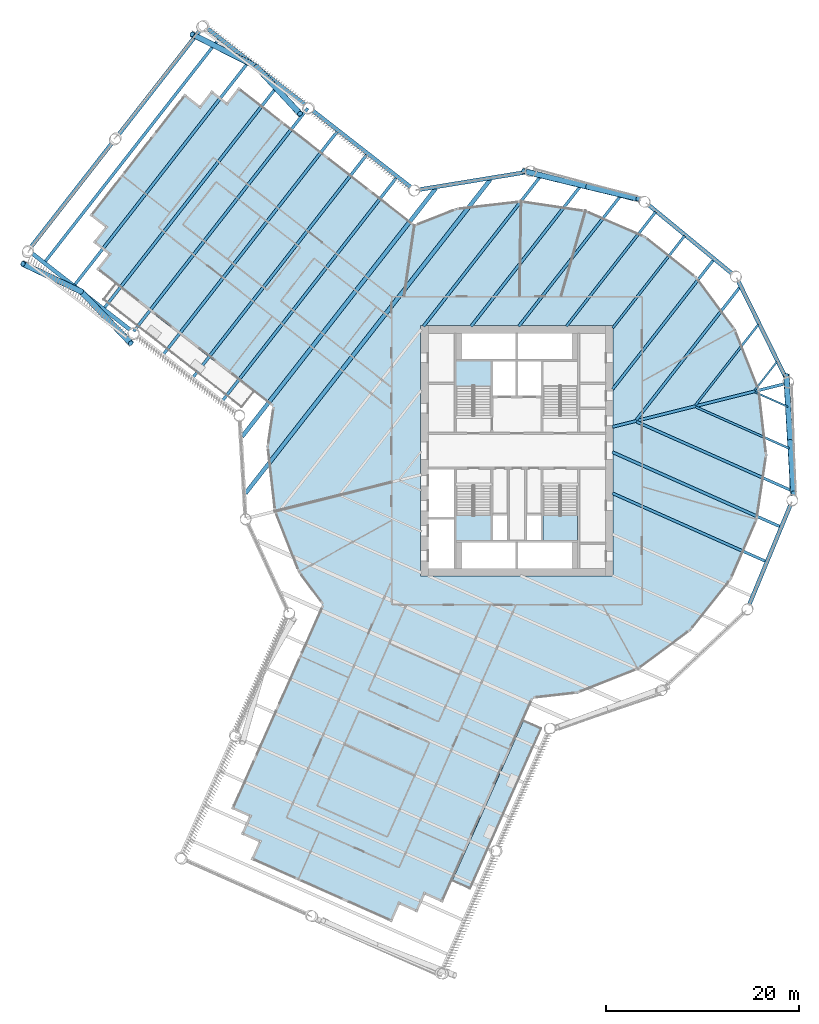
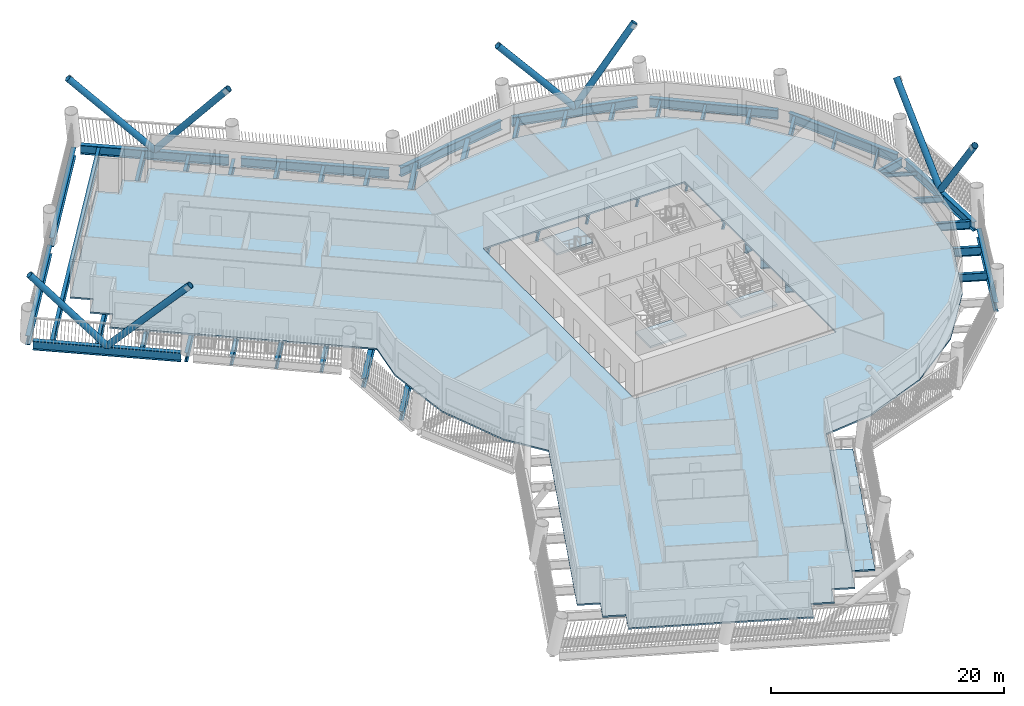
# One storey, part 2 of 22: 35 beams, 8 members, 5 slabs, 3 elements without a shape of their own.
"""IFC4 building model written with IfcOpenShell, lengths in metres."""

from ifc_helpers import new_model, si_unit, direction, frame, origin, origin_2d, place, context, subcontext, project, spatial, polyline, hollow_circle, i_section, outline, extrude, material, layer, layer_set, material_profile, profile_set, type_object, element, aggregate, save


model = new_model("IFC4")

# Units and contexts
model_context = context("Model", 3, precision=1e-05, world=origin(), true_north=direction((0.0, 1.0)))
body_context = subcontext(model_context, "Body", "Model", "MODEL_VIEW")
ifc_project = project(units=[si_unit("LENGTHUNIT", "METRE"), si_unit("AREAUNIT", "SQUARE_METRE"), si_unit("VOLUMEUNIT", "CUBIC_METRE"), si_unit("PLANEANGLEUNIT", "RADIAN"), si_unit("MASSUNIT", "GRAM", prefix="KILO")], contexts=[model_context])

# Site, building, storey
site_placement = place(None, origin())
site = spatial("IfcSite", under=ifc_project, at=site_placement, CompositionType="ELEMENT")
building_placement = place(site_placement, origin())
building = spatial("IfcBuilding", under=site, at=building_placement, Name="Tarsis Ring Headquarters", CompositionType="ELEMENT")
storey_placement = place(building_placement, frame((0.0, 0.0, 116.199951171875)))
storey = spatial("IfcBuildingStorey", under=building, at=storey_placement, Name="L26", CompositionType="ELEMENT", Elevation=116.199951171875)

# Beams
ifc_material_1 = material(Name="Structural steel S355", Category="steel")
ifc_material_profile_1 = material_profile(ifc_material_1, i_section(OverallWidth=0.177734375, OverallDepth=0.406494140625, WebThickness=0.0078125, FlangeThickness=0.0126953125, at=origin_2d()), Name="W16x40")
ifc_profile_set_1 = profile_set([ifc_material_profile_1], Name="Structural steel S355")
beam_type_1 = type_object("IfcBeamType", Name="FB Floor beam W16x40", PredefinedType="JOIST", material=ifc_profile_set_1)
beam_1_placement = place(storey_placement, frame((24.72021484375, 6.08544921875, -0.363037109375), z_axis=(0.913833071734, -0.40609003559, 0.0), x_axis=(0.40609003559, 0.913833071734, 0.0)))
element("IfcBeam", 1, at=beam_1_placement, inside=storey, type_object=beam_type_1, Name="Floor beam FB1", PredefinedType="JOIST", context=body_context, shape_type="SweptSolid", body=[
    extrude(i_section(OverallWidth=0.177734375, OverallDepth=0.406494140625, WebThickness=0.0078125, FlangeThickness=0.0126953125, at=origin_2d()), origin(), (0.0, 0.0, 1.0), 3.741943359375),
])
beam_2_placement = place(storey_placement, frame((26.9765625, 9.216796875, -0.363037109375), z_axis=(-0.615091836002, -0.788455473241, 0.0), x_axis=(0.788455473241, -0.615091836002, 0.0)))
element("IfcBeam", 2, at=beam_2_placement, inside=storey, type_object=beam_type_1, Name="Floor beam FB1", PredefinedType="JOIST", context=body_context, shape_type="SweptSolid", body=[
    extrude(i_section(OverallWidth=0.177734375, OverallDepth=0.406494140625, WebThickness=0.0078125, FlangeThickness=0.0126953125, at=origin_2d()), origin(), (0.0, 0.0, 1.0), 3.74169921875),
])
ifc_material_profile_2 = material_profile(ifc_material_1, i_section(OverallWidth=0.228271484375, OverallDepth=0.607177734375, WebThickness=0.01123046875, FlangeThickness=0.017333984375, at=origin_2d()), Name="W24x76")
ifc_profile_set_2 = profile_set([ifc_material_profile_2], Name="Structural steel S355")
beam_type_2 = type_object("IfcBeamType", Name="FB Floor beam W24x76", PredefinedType="JOIST", material=ifc_profile_set_2)
beam_3_placement = place(storey_placement, frame((18.574951171875, 4.548828125, -0.463623046875), z_axis=(0.913827662137, -0.406102208703, 0.0), x_axis=(0.406102208703, 0.913827662137, 0.0)))
element("IfcBeam", 3, at=beam_3_placement, inside=storey, type_object=beam_type_2, Name="Floor beam FB4", PredefinedType="JOIST", context=body_context, shape_type="SweptSolid", body=[
    extrude(i_section(OverallWidth=0.228271484375, OverallDepth=0.607177734375, WebThickness=0.01123046875, FlangeThickness=0.017333984375, at=origin_2d()), origin(), (0.0, 0.0, 1.0), 10.62109375),
])
beam_4_placement = place(storey_placement, frame((25.062744140625, 13.104248046875, -0.463623046875), z_axis=(-0.615106396241, -0.788444114255, 0.0), x_axis=(0.788444114255, -0.615106396241, 0.0)))
element("IfcBeam", 4, at=beam_4_placement, inside=storey, type_object=beam_type_2, Name="Floor beam FB4", PredefinedType="JOIST", context=body_context, shape_type="SweptSolid", body=[
    extrude(i_section(OverallWidth=0.228271484375, OverallDepth=0.607177734375, WebThickness=0.01123046875, FlangeThickness=0.017333984375, at=origin_2d()), origin(), (0.0, 0.0, 1.0), 10.621337890625),
])
ifc_material_profile_3 = material_profile(ifc_material_1, i_section(OverallWidth=0.2529296875, OverallDepth=0.67822265625, WebThickness=0.01171875, FlangeThickness=0.016357421875, at=origin_2d()), Name="W27x84")
ifc_profile_set_3 = profile_set([ifc_material_profile_3], Name="Structural steel S355")
beam_type_3 = type_object("IfcBeamType", Name="FB Floor beam W27x84", PredefinedType="JOIST", material=ifc_profile_set_3)
beam_5_placement = place(storey_placement, frame((17.4033203125, 22.307373046875, -0.4990234375), z_axis=(-0.615109843816, -0.788441424609, 0.0), x_axis=(0.788441424609, -0.615109843816, 0.0)))
element("IfcBeam", 5, at=beam_5_placement, inside=storey, type_object=beam_type_3, Name="Floor beam FB5", PredefinedType="JOIST", context=body_context, shape_type="SweptSolid", body=[
    extrude(i_section(OverallWidth=0.2529296875, OverallDepth=0.67822265625, WebThickness=0.01171875, FlangeThickness=0.016357421875, at=origin_2d()), origin(), (0.0, 0.0, 1.0), 12.1357421875),
])
ifc_material_profile_4 = material_profile(ifc_material_1, i_section(OverallWidth=0.2666015625, OverallDepth=0.7568359375, WebThickness=0.013916015625, FlangeThickness=0.019287109375, at=origin_2d()), Name="W30x108")
ifc_profile_set_4 = profile_set([ifc_material_profile_4], Name="Structural steel S355")
beam_type_4 = type_object("IfcBeamType", Name="FB Floor beam W30x108", PredefinedType="JOIST", material=ifc_profile_set_4)
beam_6_placement = place(storey_placement, frame((14.390625, 24.7861328125, -0.538330078125), z_axis=(-0.615110269948, -0.788441092159, 0.0), x_axis=(0.788441092159, -0.615110269948, 0.0)))
element("IfcBeam", 6, at=beam_6_placement, inside=storey, type_object=beam_type_4, Name="Floor beam FB6", PredefinedType="JOIST", context=body_context, shape_type="SweptSolid", body=[
    extrude(i_section(OverallWidth=0.2666015625, OverallDepth=0.7568359375, WebThickness=0.013916015625, FlangeThickness=0.019287109375, at=origin_2d()), origin(), (0.0, 0.0, 1.0), 15.048583984375),
])
ifc_material_profile_5 = material_profile(ifc_material_1, i_section(OverallWidth=0.2919921875, OverallDepth=0.835693359375, WebThickness=0.013916015625, FlangeThickness=0.018798828125, at=origin_2d()), Name="W33x118")
ifc_profile_set_5 = profile_set([ifc_material_profile_5], Name="Structural steel S355")
beam_type_5 = type_object("IfcBeamType", Name="FB Floor beam W33x118", PredefinedType="JOIST", material=ifc_profile_set_5)
beam_7_placement = place(storey_placement, frame((12.429443359375, 3.011962890625, -0.577880859375), z_axis=(0.913831106803, -0.406094457287, 0.0), x_axis=(0.406094457287, 0.913831106803, 0.0)))
element("IfcBeam", 7, at=beam_7_placement, inside=storey, type_object=beam_type_5, Name="Floor beam FB7", PredefinedType="JOIST", context=body_context, shape_type="SweptSolid", body=[
    extrude(i_section(OverallWidth=0.2919921875, OverallDepth=0.835693359375, WebThickness=0.013916015625, FlangeThickness=0.018798828125, at=origin_2d()), origin(), (0.0, 0.0, 1.0), 17.500732421875),
])
beam_8_placement = place(storey_placement, frame((9.90869140625, -4.4033203125, -0.577880859375), z_axis=(0.913828856106, -0.406099521975, 0.0), x_axis=(0.406099521975, 0.913828856106, 0.0)))
element("IfcBeam", 8, at=beam_8_placement, inside=storey, type_object=beam_type_5, Name="Floor beam FB7", PredefinedType="JOIST", context=body_context, shape_type="SweptSolid", body=[
    extrude(i_section(OverallWidth=0.2919921875, OverallDepth=0.835693359375, WebThickness=0.013916015625, FlangeThickness=0.018798828125, at=origin_2d()), origin(), (0.0, 0.0, 1.0), 17.449951171875),
])
beam_9_placement = place(storey_placement, frame((23.14892578125, 16.991455078125, -0.577880859375), z_axis=(-0.615109509255, -0.788441685621, 0.0), x_axis=(0.788441685621, -0.615109509255, 0.0)))
element("IfcBeam", 9, at=beam_9_placement, inside=storey, type_object=beam_type_5, Name="Floor beam FB7", PredefinedType="JOIST", context=body_context, shape_type="SweptSolid", body=[
    extrude(i_section(OverallWidth=0.2919921875, OverallDepth=0.835693359375, WebThickness=0.013916015625, FlangeThickness=0.018798828125, at=origin_2d()), origin(), (0.0, 0.0, 1.0), 17.500732421875),
])
beam_10_placement = place(storey_placement, frame((20.416015625, 19.82861328125, -0.577880859375), z_axis=(-0.615111818946, -0.78843988369, 0.0), x_axis=(0.78843988369, -0.615111818946, 0.0)))
element("IfcBeam", 10, at=beam_10_placement, inside=storey, type_object=beam_type_5, Name="Floor beam FB7", PredefinedType="JOIST", context=body_context, shape_type="SweptSolid", body=[
    extrude(i_section(OverallWidth=0.2919921875, OverallDepth=0.835693359375, WebThickness=0.013916015625, FlangeThickness=0.018798828125, at=origin_2d()), origin(), (0.0, 0.0, 1.0), 17.033447265625),
])
beam_11_placement = place(storey_placement, frame((10.702392578125, 26.39892578125, -0.577880859375), z_axis=(-0.615103721919, -0.788446200626, 0.0), x_axis=(0.788446200626, -0.615103721919, 0.0)))
element("IfcBeam", 11, at=beam_11_placement, inside=storey, type_object=beam_type_5, Name="Floor beam FB7", PredefinedType="JOIST", context=body_context, shape_type="SweptSolid", body=[
    extrude(i_section(OverallWidth=0.2919921875, OverallDepth=0.835693359375, WebThickness=0.013916015625, FlangeThickness=0.018798828125, at=origin_2d()), origin(), (0.0, 0.0, 1.0), 17.093994140625),
])
ifc_material_profile_6 = material_profile(ifc_material_1, i_section(OverallWidth=0.3046875, OverallDepth=0.904296875, WebThickness=0.01513671875, FlangeThickness=0.02001953125, at=origin_2d()), Name="W36x135")
ifc_profile_set_6 = profile_set([ifc_material_profile_6], Name="Structural steel S355")
beam_type_6 = type_object("IfcBeamType", Name="FB Floor beam W36x135", PredefinedType="JOIST", material=ifc_profile_set_6)
beam_12_placement = place(storey_placement, frame((9.90869140625, -0.135498046875, -0.612060546875), z_axis=(0.913825793347, -0.406106413903, 0.0), x_axis=(0.406106413903, 0.913825793347, 0.0)))
element("IfcBeam", 12, at=beam_12_placement, inside=storey, type_object=beam_type_6, Name="Floor beam FB8", PredefinedType="JOIST", context=body_context, shape_type="SweptSolid", body=[
    extrude(i_section(OverallWidth=0.3046875, OverallDepth=0.904296875, WebThickness=0.01513671875, FlangeThickness=0.02001953125, at=origin_2d()), origin(), (0.0, 0.0, 1.0), 19.081787109375),
])
beam_13_placement = place(storey_placement, frame((6.6162109375, 27.501708984375, -0.612060546875), z_axis=(-0.615104355818, -0.788445706091, 0.0), x_axis=(0.788445706091, -0.615104355818, 0.0)))
element("IfcBeam", 13, at=beam_13_placement, inside=storey, type_object=beam_type_6, Name="Floor beam FB8", PredefinedType="JOIST", context=body_context, shape_type="SweptSolid", body=[
    extrude(i_section(OverallWidth=0.3046875, OverallDepth=0.904296875, WebThickness=0.01513671875, FlangeThickness=0.02001953125, at=origin_2d()), origin(), (0.0, 0.0, 1.0), 18.49267578125),
])
beam_14_placement = place(storey_placement, frame((2.5302734375, 28.6044921875, -0.612060546875), z_axis=(-0.615112530333, -0.788439328692, 0.0), x_axis=(0.788439328692, -0.615112530333, 0.0)))
element("IfcBeam", 14, at=beam_14_placement, inside=storey, type_object=beam_type_6, Name="Floor beam FB8", PredefinedType="JOIST", context=body_context, shape_type="SweptSolid", body=[
    extrude(i_section(OverallWidth=0.3046875, OverallDepth=0.904296875, WebThickness=0.01513671875, FlangeThickness=0.02001953125, at=origin_2d()), origin(), (0.0, 0.0, 1.0), 19.8916015625),
])
ifc_material_profile_7 = material_profile(ifc_material_1, i_section(OverallWidth=0.309814453125, OverallDepth=0.949951171875, WebThickness=0.0244140625, FlangeThickness=0.0439453125, at=origin_2d()), Name="W36x256")
ifc_profile_set_7 = profile_set([ifc_material_profile_7], Name="Structural steel S355")
beam_type_7 = type_object("IfcBeamType", Name="FB Floor beam W36x256", PredefinedType="JOIST", material=ifc_profile_set_7)
for number, where, z_axis, x_axis, name in (
    (15, (-12.48974609375, 28.373046875, -0.635009765625), (-0.61510909717, -0.788442007112, 0.0), (0.788442007112, -0.61510909717, 0.0), "Floor beam FB11"),
    (16, (-15.564697265625, 30.77197265625, -0.635009765625), (-0.61510909717, -0.788442007112, 0.0), (0.788442007112, -0.61510909717, 0.0), "Floor beam FB11"),
    (17, (-18.6396484375, 33.1708984375, -0.635009765625), (-0.61510909717, -0.788442007112, 0.0), (0.788442007112, -0.61510909717, 0.0), "Floor beam FB11"),
    (18, (-21.714599609375, 35.56982421875, -0.635009765625), (-0.61510909717, -0.788442007112, 0.0), (0.788442007112, -0.61510909717, 0.0), "Floor beam FB11"),
):
    element("IfcBeam", number, at=place(storey_placement, frame(where, z_axis=z_axis, x_axis=x_axis)), inside=storey, type_object=beam_type_7, Name=name, PredefinedType="JOIST", context=body_context, shape_type="SweptSolid", body=[
        extrude(i_section(OverallWidth=0.309814453125, OverallDepth=0.949951171875, WebThickness=0.0244140625, FlangeThickness=0.0439453125, at=origin_2d()), origin(), (0.0, 0.0, 1.0), 29.375732421875),
    ])
beam_15_placement = place(storey_placement, frame((-24.789306640625, 37.96875, -0.635009765625), z_axis=(-0.615114263548, -0.788437976495, 0.0), x_axis=(0.788437976495, -0.615114263548, 0.0)))
element("IfcBeam", 19, at=beam_15_placement, inside=storey, type_object=beam_type_7, Name="Floor beam FB11", PredefinedType="JOIST", context=body_context, shape_type="SweptSolid", body=[
    extrude(i_section(OverallWidth=0.309814453125, OverallDepth=0.949951171875, WebThickness=0.0244140625, FlangeThickness=0.0439453125, at=origin_2d()), origin(), (0.0, 0.0, 1.0), 29.3759765625),
])
for number, where, z_axis, x_axis, name in (
    (20, (-27.8642578125, 40.36767578125, -0.635009765625), (-0.615113127809, -0.788438862561, 0.0), (0.788438862561, -0.615113127809, 0.0), "Floor beam FB11"),
    (21, (-30.939208984375, 42.7666015625, -0.635009765625), (-0.615113127809, -0.788438862561, 0.0), (0.788438862561, -0.615113127809, 0.0), "Floor beam FB11"),
):
    element("IfcBeam", number, at=place(storey_placement, frame(where, z_axis=z_axis, x_axis=x_axis)), inside=storey, type_object=beam_type_7, Name=name, PredefinedType="JOIST", context=body_context, shape_type="SweptSolid", body=[
        extrude(i_section(OverallWidth=0.309814453125, OverallDepth=0.949951171875, WebThickness=0.0244140625, FlangeThickness=0.0439453125, at=origin_2d()), origin(), (0.0, 0.0, 1.0), 29.375732421875),
    ])
beam_type_8 = type_object("IfcBeamType", Name="FB Floor beam W36x256 spine", PredefinedType="BEAM", material=ifc_profile_set_7)
beam_16_placement = place(storey_placement, frame((28.067138671875, 7.018798828125, -0.635009765625), z_axis=(-0.970124088924, -0.242609258045, 0.0), x_axis=(0.242609258045, -0.970124088924, 0.0)))
element("IfcBeam", 22, at=beam_16_placement, inside=storey, type_object=beam_type_8, Name="Floor beam SB11", PredefinedType="BEAM", context=body_context, shape_type="SweptSolid", body=[
    extrude(i_section(OverallWidth=0.309814453125, OverallDepth=0.949951171875, WebThickness=0.0244140625, FlangeThickness=0.0439453125, at=origin_2d()), origin(), (0.0, 0.0, 1.0), 18.723388671875),
])
ifc_material_profile_8 = material_profile(ifc_material_1, i_section(OverallWidth=0.42431640625, OverallDepth=0.947509765625, WebThickness=0.02392578125, FlangeThickness=0.042724609375, at=origin_2d()), Name="W36x302")
ifc_profile_set_8 = profile_set([ifc_material_profile_8], Name="Structural steel S355")
beam_type_9 = type_object("IfcBeamType", Name="FB Floor beam W36x302", PredefinedType="JOIST", material=ifc_profile_set_8)
beam_17_placement = place(storey_placement, frame((-2.751220703125, 28.17529296875, -0.633544921875), z_axis=(-0.615110933815, -0.788440574236, 0.0), x_axis=(0.788440574236, -0.615110933815, 0.0)))
element("IfcBeam", 23, at=beam_17_placement, inside=storey, type_object=beam_type_9, Name="Floor beam FB12", PredefinedType="JOIST", context=body_context, shape_type="SweptSolid", body=[
    extrude(i_section(OverallWidth=0.42431640625, OverallDepth=0.947509765625, WebThickness=0.02392578125, FlangeThickness=0.042724609375, at=origin_2d()), origin(), (0.0, 0.0, 1.0), 41.35302734375),
])
beam_18_placement = place(storey_placement, frame((-8.41650390625, 27.253662109375, -0.633544921875), z_axis=(-0.615115152143, -0.788437283241, 0.0), x_axis=(0.788437283241, -0.615115152143, 0.0)))
element("IfcBeam", 24, at=beam_18_placement, inside=storey, type_object=beam_type_9, Name="Floor beam FB12", PredefinedType="JOIST", context=body_context, shape_type="SweptSolid", body=[
    extrude(i_section(OverallWidth=0.42431640625, OverallDepth=0.947509765625, WebThickness=0.02392578125, FlangeThickness=0.042724609375, at=origin_2d()), origin(), (0.0, 0.0, 1.0), 32.704833984375),
])

# Members
ifc_material_profile_9 = material_profile(ifc_material_1, hollow_circle(Radius=0.3046875, WallThickness=0.02490234375, at=origin_2d()), Name="CHS 610x25")
ifc_profile_set_9 = profile_set([ifc_material_profile_9], Name="Structural steel S355")
member_type = type_object("IfcMemberType", Name="XD X brace CHS 610x25", PredefinedType="BRACE", material=ifc_profile_set_9)
member_1_placement = place(storey_placement, frame((28.38037109375, 0.926025390625, 0.0), z_axis=(-0.038594356467, 0.661309374122, 0.749119741662), x_axis=(-0.998301362947, -0.058261382904, 0.0)))
element("IfcMember", 25, at=member_1_placement, inside=storey, type_object=member_type, Name="X brace XD1", PredefinedType="BRACE", context=body_context, shape_type="SweptSolid", body=[
    extrude(hollow_circle(Radius=0.3046875, WallThickness=0.02490234375, at=origin_2d()), origin(), (0.0, 0.0, 1.0), 10.412353515625),
])
member_2_placement = place(storey_placement, frame((28.38037109375, 0.926025390625, 0.0), z_axis=(0.034945935174, -0.564658175586, 0.824584699324), x_axis=(0.998090381102, 0.061770471524, 0.0)))
element("IfcMember", 26, at=member_2_placement, inside=storey, type_object=member_type, Name="X brace XD1", PredefinedType="BRACE", context=body_context, shape_type="SweptSolid", body=[
    extrude(hollow_circle(Radius=0.3046875, WallThickness=0.02490234375, at=origin_2d()), origin(), (0.0, 0.0, 1.0), 9.45947265625),
])
member_3_placement = place(storey_placement, frame((7.39892578125, 27.41455078125, 0.0), z_axis=(-0.643770874506, 0.156136008644, 0.749119888898), x_axis=(-0.23570031745, -0.971825787039, 0.0)))
element("IfcMember", 27, at=member_3_placement, inside=storey, type_object=member_type, Name="X brace XD1", PredefinedType="BRACE", context=body_context, shape_type="SweptSolid", body=[
    extrude(hollow_circle(Radius=0.3046875, WallThickness=0.02490234375, at=origin_2d()), origin(), (0.0, 0.0, 1.0), 10.412353515625),
])
member_4_placement = place(storey_placement, frame((7.39892578125, 27.41455078125, 0.0), z_axis=(0.550260104545, -0.131396538098, 0.824590060043), x_axis=(0.232259865806, 0.972653769198, 0.0)))
element("IfcMember", 28, at=member_4_placement, inside=storey, type_object=member_type, Name="X brace XD1", PredefinedType="BRACE", context=body_context, shape_type="SweptSolid", body=[
    extrude(hollow_circle(Radius=0.3046875, WallThickness=0.02490234375, at=origin_2d()), origin(), (0.0, 0.0, 1.0), 9.459228515625),
])
member_5_placement = place(storey_placement, frame((-27.04541015625, 39.87109375, 0.0), z_axis=(-0.617425430525, 0.312283215885, 0.721986863328), x_axis=(-0.451337134456, -0.892353512382, 0.0)))
element("IfcMember", 29, at=member_5_placement, inside=storey, type_object=member_type, Name="X brace XD1", PredefinedType="BRACE", context=body_context, shape_type="SweptSolid", body=[
    extrude(hollow_circle(Radius=0.3046875, WallThickness=0.02490234375, at=origin_2d()), origin(), (0.0, 0.0, 1.0), 10.803466796875),
])
member_6_placement = place(storey_placement, frame((-27.04541015625, 39.87109375, 0.0), z_axis=(0.440972751018, -0.475751284752, 0.76105436594), x_axis=(0.733405290132, 0.679791644849, 0.0)))
element("IfcMember", 30, at=member_6_placement, inside=storey, type_object=member_type, Name="X brace XD1", PredefinedType="BRACE", context=body_context, shape_type="SweptSolid", body=[
    extrude(hollow_circle(Radius=0.3046875, WallThickness=0.02490234375, at=origin_2d()), origin(), (0.0, 0.0, 1.0), 10.2490234375),
])
member_7_placement = place(storey_placement, frame((-45.252685546875, 16.533203125, 0.0), z_axis=(0.478738651251, -0.49741992016, 0.723451951982), x_axis=(0.720507132942, 0.693447526046, 0.0)))
element("IfcMember", 31, at=member_7_placement, inside=storey, type_object=member_type, Name="X brace XD1", PredefinedType="BRACE", context=body_context, shape_type="SweptSolid", body=[
    extrude(hollow_circle(Radius=0.3046875, WallThickness=0.02490234375, at=origin_2d()), origin(), (0.0, 0.0, 1.0), 10.78173828125),
])
member_8_placement = place(storey_placement, frame((-45.252685546875, 16.533203125, 0.0), z_axis=(-0.586863687881, 0.281049048647, 0.759343429617), x_axis=(-0.431924606436, -0.90190971519, 0.0)))
element("IfcMember", 32, at=member_8_placement, inside=storey, type_object=member_type, Name="X brace XD1", PredefinedType="BRACE", context=body_context, shape_type="SweptSolid", body=[
    extrude(hollow_circle(Radius=0.3046875, WallThickness=0.02490234375, at=origin_2d()), origin(), (0.0, 0.0, 1.0), 10.272216796875),
])

# Beams
beam_type_10 = type_object("IfcBeamType", Name="XG Ring girder W36x302", PredefinedType="BEAM", material=ifc_profile_set_8)
beam_19_placement = place(storey_placement, frame((24.098876953125, -16.02783203125, -0.4736328125), z_axis=(0.382267054504, 0.924051891963, 0.0), x_axis=(-0.924051891963, 0.382267054504, 0.0)))
element("IfcBeam", 33, at=beam_19_placement, inside=storey, type_object=beam_type_10, Name="Ring girder XG1", PredefinedType="BEAM", context=body_context, shape_type="SweptSolid", body=[
    extrude(i_section(OverallWidth=0.42431640625, OverallDepth=0.947509765625, WebThickness=0.02392578125, FlangeThickness=0.042724609375, at=origin_2d()), origin(), (0.0, 0.0, 1.0), 11.197021484375),
])
for number, where, z_axis, x_axis, name in (
    (34, (28.56298828125, -4.669677734375, -0.4736328125), (-0.03259610745, 0.9994686057, 0.0), (-0.9994686057, -0.03259610745, 0.0), "Ring girder XG1"),
    (35, (27.948486328125, 7.518798828125, -0.4736328125), (-0.441675655082, 0.89717479663, 0.0), (-0.89717479663, -0.441675655082, 0.0), "Ring girder XG1"),
):
    element("IfcBeam", number, at=place(storey_placement, frame(where, z_axis=z_axis, x_axis=x_axis)), inside=storey, type_object=beam_type_10, Name=name, PredefinedType="BEAM", context=body_context, shape_type="SweptSolid", body=[
        extrude(i_section(OverallWidth=0.42431640625, OverallDepth=0.947509765625, WebThickness=0.02392578125, FlangeThickness=0.042724609375, at=origin_2d()), origin(), (0.0, 0.0, 1.0), 11.197265625),
    ])
beam_20_placement = place(storey_placement, frame((22.36474609375, 18.37060546875, -0.4736328125), z_axis=(-0.772227214884, 0.635346463429, 0.0), x_axis=(-0.635346463429, -0.772227214884, 0.0)))
element("IfcBeam", 36, at=beam_20_placement, inside=storey, type_object=beam_type_10, Name="Ring girder XG1", PredefinedType="BEAM", context=body_context, shape_type="SweptSolid", body=[
    extrude(i_section(OverallWidth=0.42431640625, OverallDepth=0.947509765625, WebThickness=0.02392578125, FlangeThickness=0.042724609375, at=origin_2d()), origin(), (0.0, 0.0, 1.0), 11.197509765625),
])
for number, where, z_axis, x_axis, name in (
    (37, (12.80419921875, 25.955810546875, -0.4736328125), (-0.965454317865, 0.260572370208, 0.0), (-0.260572370208, -0.965454317865, 0.0), "Ring girder XG1"),
    (38, (0.967041015625, 28.926025390625, -0.4736328125), (-0.987029294051, -0.160540252537, 0.0), (0.160540252537, -0.987029294051, 0.0), "Ring girder XG1"),
):
    element("IfcBeam", number, at=place(storey_placement, frame(where, z_axis=z_axis, x_axis=x_axis)), inside=storey, type_object=beam_type_10, Name=name, PredefinedType="BEAM", context=body_context, shape_type="SweptSolid", body=[
        extrude(i_section(OverallWidth=0.42431640625, OverallDepth=0.947509765625, WebThickness=0.02392578125, FlangeThickness=0.042724609375, at=origin_2d()), origin(), (0.0, 0.0, 1.0), 11.197265625),
    ])
for number, where, z_axis, x_axis, name in (
    (39, (-11.018310546875, 27.367431640625, -0.4736328125), (-0.788444996111, 0.615105265875, 0.0), (-0.615105265875, -0.788444996111, 0.0), "Ring girder XG1"),
    (40, (-21.9794921875, 35.918701171875, -0.4736328125), (-0.788435782438, 0.615117075824, 0.0), (-0.615117075824, -0.788435782438, 0.0), "Ring girder XG1"),
):
    element("IfcBeam", number, at=place(storey_placement, frame(where, z_axis=z_axis, x_axis=x_axis)), inside=storey, type_object=beam_type_10, Name=name, PredefinedType="BEAM", context=body_context, shape_type="SweptSolid", body=[
        extrude(i_section(OverallWidth=0.42431640625, OverallDepth=0.947509765625, WebThickness=0.02392578125, FlangeThickness=0.042724609375, at=origin_2d()), origin(), (0.0, 0.0, 1.0), 12.850830078125),
    ])
for number, where, z_axis, x_axis, name in (
    (41, (-32.849365234375, 43.732177734375, -0.4736328125), (-0.615109079949, -0.788442020547, 0.0), (0.788442020547, -0.615109079949, 0.0), "Ring girder XG1"),
    (42, (-41.953125, 32.063232421875, -0.4736328125), (-0.615109079949, -0.788442020547, 0.0), (0.788442020547, -0.615109079949, 0.0), "Ring girder XG1"),
):
    element("IfcBeam", number, at=place(storey_placement, frame(where, z_axis=z_axis, x_axis=x_axis)), inside=storey, type_object=beam_type_10, Name=name, PredefinedType="BEAM", context=body_context, shape_type="SweptSolid", body=[
        extrude(i_section(OverallWidth=0.42431640625, OverallDepth=0.947509765625, WebThickness=0.02392578125, FlangeThickness=0.042724609375, at=origin_2d()), origin(), (0.0, 0.0, 1.0), 13.74853515625),
    ])
beam_21_placement = place(storey_placement, frame((-50.31884765625, 20.485595703125, -0.4736328125), z_axis=(0.788444996111, -0.615105265875, 0.0), x_axis=(0.615105265875, 0.788444996111, 0.0)))
element("IfcBeam", 43, at=beam_21_placement, inside=storey, type_object=beam_type_10, Name="Ring girder XG1", PredefinedType="BEAM", context=body_context, shape_type="SweptSolid", body=[
    extrude(i_section(OverallWidth=0.42431640625, OverallDepth=0.947509765625, WebThickness=0.02392578125, FlangeThickness=0.042724609375, at=origin_2d()), origin(), (0.0, 0.0, 1.0), 12.850830078125),
])

# Slab
ifc_material_2 = material(Name="Concrete C40/50", Category="concrete")
ifc_layer_1 = layer(ifc_material_2, 0.159912109375)
ifc_layer_set_1 = layer_set([ifc_layer_1], Name="Balcony slab concrete C40/50")
slab_type_1 = type_object("IfcSlabType", Name="Balcony slab concrete C40/50", PredefinedType="FLOOR", material=ifc_layer_set_1)
slab_1_placement = place(storey_placement, frame((0.0, 0.0, -0.159912109375)))
element("IfcSlab", 44, at=slab_1_placement, inside=storey, type_object=slab_type_1, Name="Balcony slab L26-16", PredefinedType="FLOOR", context=body_context, shape_type="SweptSolid", body=[
    extrude(outline(polyline([(-6.699462890625, -44.624755859375), (-4.87158203125, -45.43701171875), (2.49951171875, -28.849853515625), (0.671875, -28.03759765625), (-6.699462890625, -44.624755859375)])), origin(), (0.0, 0.0, 1.0), 0.159912109375),
])

# Stair, slab
ifc_material_3 = material(Name="Core stair 1760")
stair_type = type_object("IfcStairType", Name="Core stair 1760", PredefinedType="HALF_TURN_STAIR", material=ifc_material_3)
stair_1_placement = place(storey_placement, origin())
stair_1 = element("IfcStair", 45, at=stair_1_placement, inside=storey, type_object=stair_type, Name="L26 Firefighting stair", PredefinedType="HALF_TURN_STAIR")
ifc_layer_2 = layer(ifc_material_2, 0.199951171875)
ifc_layer_set_2 = layer_set([ifc_layer_2], Name="Core stair landing 200")
slab_type_2 = type_object("IfcSlabType", Name="Core stair landing 200", PredefinedType="LANDING", material=ifc_layer_set_2)
slab_2_placement = place(storey_placement, frame((0.0, 0.0, 1.75)))
slab_2 = element("IfcSlab", 46, at=slab_2_placement, type_object=slab_type_2, Name="Stair ST1 landing 1", PredefinedType="LANDING", context=body_context, shape_type="SweptSolid", body=[
    extrude(outline(polyline([(-2.699951171875, 6.739990234375), (-2.699951171875, 9.300048828125), (-6.300048828125, 9.300048828125), (-6.300048828125, 6.739990234375), (-2.699951171875, 6.739990234375)])), origin(), (0.0, 0.0, 1.0), 0.199951171875),
])
aggregate(stair_1, [slab_2])

stair_2_placement = place(storey_placement, origin())
stair_2 = element("IfcStair", 47, at=stair_2_placement, inside=storey, type_object=stair_type, Name="L26 Exit stair C", PredefinedType="HALF_TURN_STAIR")
slab_3_placement = place(storey_placement, frame((0.0, 0.0, 1.75)))
slab_3 = element("IfcSlab", 48, at=slab_3_placement, type_object=slab_type_2, Name="Stair ST3 landing 1", PredefinedType="LANDING", context=body_context, shape_type="SweptSolid", body=[
    extrude(outline(polyline([(-6.300048828125, -6.739990234375), (-6.300048828125, -9.300048828125), (-2.699951171875, -9.300048828125), (-2.699951171875, -6.739990234375), (-6.300048828125, -6.739990234375)])), origin(), (0.0, 0.0, 1.0), 0.199951171875),
])
aggregate(stair_2, [slab_3])

stair_3_placement = place(storey_placement, origin())
stair_3 = element("IfcStair", 49, at=stair_3_placement, inside=storey, type_object=stair_type, Name="L26 Exit stair D", PredefinedType="HALF_TURN_STAIR")
slab_4_placement = place(storey_placement, frame((0.0, 0.0, 1.75)))
slab_4 = element("IfcSlab", 50, at=slab_4_placement, type_object=slab_type_2, Name="Stair ST4 landing 1", PredefinedType="LANDING", context=body_context, shape_type="SweptSolid", body=[
    extrude(outline(polyline([(2.699951171875, -6.739990234375), (2.699951171875, -9.300048828125), (6.300048828125, -9.300048828125), (6.300048828125, -6.739990234375), (2.699951171875, -6.739990234375)])), origin(), (0.0, 0.0, 1.0), 0.199951171875),
])
aggregate(stair_3, [slab_4])

# Slab
ifc_material_4 = material(Name="Concrete C35/45", Category="concrete")
ifc_layer_3 = layer(ifc_material_4, 0.159912109375)
ifc_layer_set_3 = layer_set([ifc_layer_3], Name="FS Composite floor slab 160")
slab_type_3 = type_object("IfcSlabType", Name="FS Composite floor slab 160", PredefinedType="FLOOR", material=ifc_layer_set_3)
slab_5_placement = place(storey_placement, frame((0.0, 0.0, -0.159912109375)))
element("IfcSlab", 51, at=slab_5_placement, inside=storey, type_object=slab_type_3, Name="Floor slab L26", PredefinedType="FLOOR", context=body_context, shape_type="SweptSolid", body=[
    extrude(outline(polyline([(-25.3798828125, 4.58056640625), (-25.996337890625, 0.435546875), (-25.223388671875, -6.3076171875), (-22.731201171875, -12.620849609375), (-20.236328125, -15.98779296875), (-29.646484375, -37.162841796875), (-27.81884765625, -37.97509765625), (-28.631103515625, -39.802734375), (-26.803466796875, -40.614990234375), (-27.615478515625, -42.442626953125), (-12.994384765625, -48.940185546875), (-12.18212890625, -47.112548828125), (-10.3544921875, -47.9248046875), (-9.542236328125, -46.09716796875), (-7.714599609375, -46.909423828125), (1.68701171875, -25.7529296875), (6.3076171875, -25.223388671875), (12.620849609375, -22.731201171875), (18.07421875, -18.690185546875), (22.295654296875, -13.37548828125), (24.997802734375, -7.149169921875), (25.996337890625, -0.435546875), (25.223388671875, 6.3076171875), (22.731201171875, 12.620849609375), (18.690185546875, 18.07421875), (13.37548828125, 22.295654296875), (7.149169921875, 24.997802734375), (0.435546875, 25.996337890625), (-6.3076171875, 25.223388671875), (-10.633544921875, 23.515869140625), (-28.886962890625, 37.75634765625), (-30.1171875, 36.179443359375), (-31.694091796875, 37.40966796875), (-32.92431640625, 35.832763671875), (-34.501220703125, 37.06298828125), (-44.343017578125, 24.447998046875), (-42.76611328125, 23.2177734375), (-43.996337890625, 21.640869140625), (-42.41943359375, 20.41064453125), (-43.649658203125, 18.833740234375), (-25.3798828125, 4.58056640625)]), holes=[polyline([(-10.0, -13.0), (-10.0, 13.0), (10.0, 13.0), (10.0, -13.0), (-10.0, -13.0)])]), origin(), (0.0, 0.0, 1.0), 0.159912109375),
])

save(model, "model.ifc")
